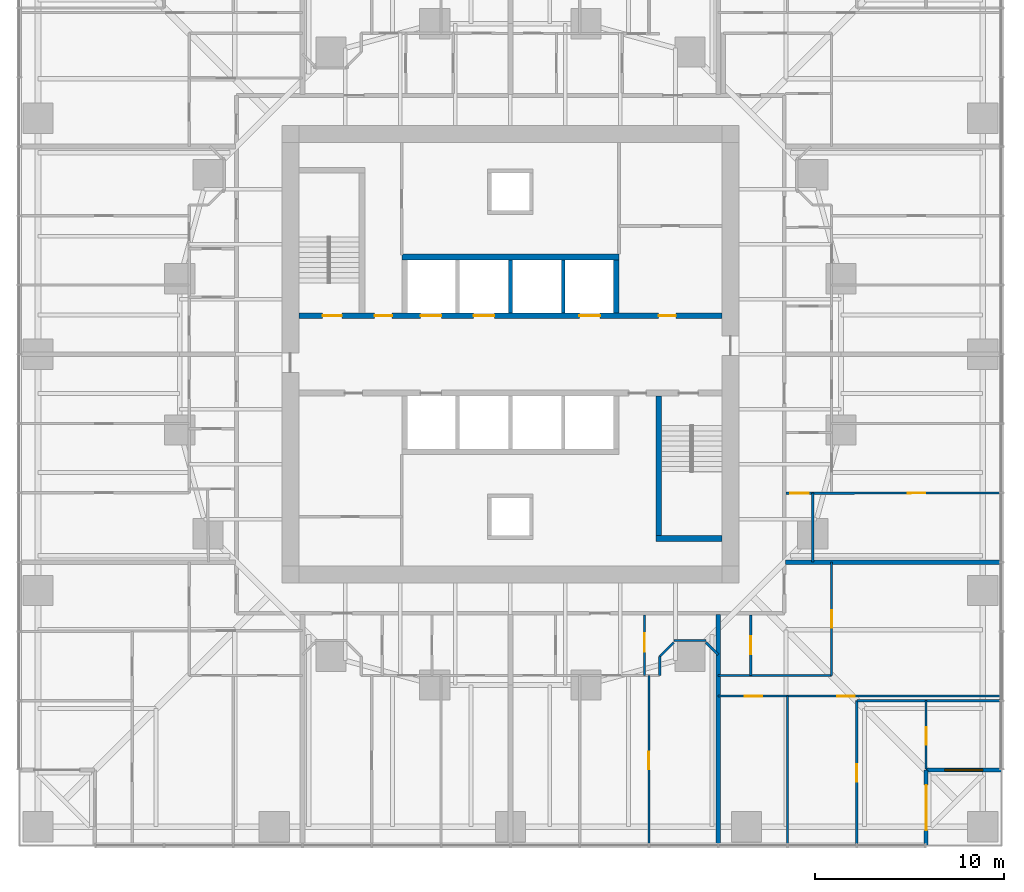
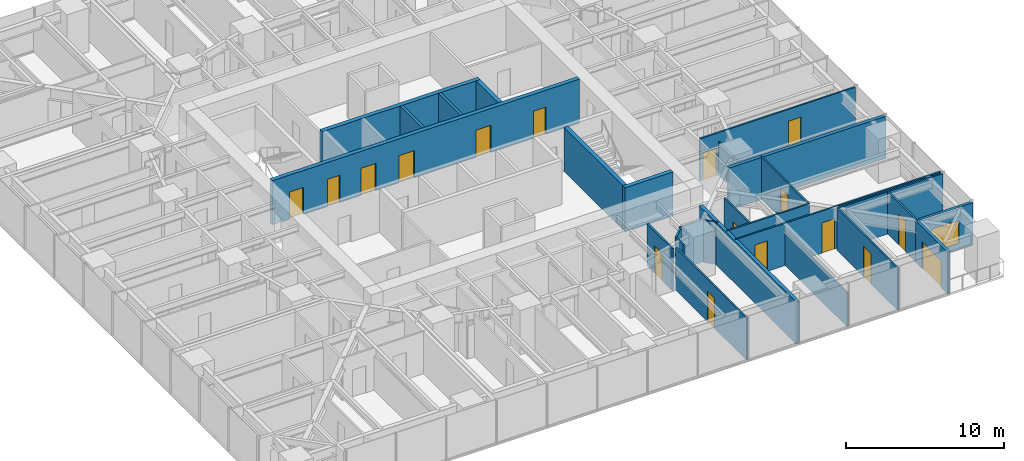
# One storey, part 10 of 17: 27 walls, 17 doors, 1 window, 18 openings.
"""IFC4 building model written with IfcOpenShell, lengths in metres."""

from ifc_helpers import new_model, si_unit, direction, frame, frame_2d, origin, place, context, subcontext, project, spatial, rectangle, extrude, material, layer, layer_set, type_object, element, fill, save


model = new_model("IFC4")

# Units and contexts
model_context = context("Model", 3, precision=1e-05, world=origin(), true_north=direction((0.0, 1.0)))
body_context = subcontext(model_context, "Body", "Model", "MODEL_VIEW")
ifc_project = project(units=[si_unit("LENGTHUNIT", "METRE"), si_unit("AREAUNIT", "SQUARE_METRE"), si_unit("VOLUMEUNIT", "CUBIC_METRE"), si_unit("PLANEANGLEUNIT", "RADIAN"), si_unit("MASSUNIT", "GRAM", prefix="KILO")], contexts=[model_context])

# Site, building, storey
site_placement = place(None, origin())
site = spatial("IfcSite", under=ifc_project, at=site_placement, CompositionType="ELEMENT")
building_placement = place(site_placement, origin())
building = spatial("IfcBuilding", under=site, at=building_placement, Name="Torsade Residences", CompositionType="ELEMENT")
storey_placement = place(building_placement, frame((0.0, 0.0, 18.39990234375)))
storey = spatial("IfcBuildingStorey", under=building, at=storey_placement, Name="L04", CompositionType="ELEMENT", Elevation=18.39990234375)

# Wall, openings, doors
ifc_material_1 = material(Name="Concrete 80 MPa", Category="concrete")
ifc_layer_1 = layer(ifc_material_1, 0.300048828125)
ifc_layer_set_1 = layer_set([ifc_layer_1], Name="Concrete 80 MPa")
wall_type_1 = type_object("IfcWallType", Name="CORE INTERNAL WALL 300", PredefinedType="SHEAR", material=ifc_layer_set_1)
wall_1_placement = place(storey_placement, frame((28.800048828125, 32.050048828125, 0.0), z_axis=(0.0, 0.0, 1.0), x_axis=(1.0, 0.0, 0.0)))
wall_1 = element("IfcWall", 1, at=wall_1_placement, inside=storey, type_object=wall_type_1, Name="Core wall LN L04", PredefinedType="SHEAR", context=body_context, shape_type="SweptSolid", body=[
    extrude(rectangle(XDim=22.39990234375, YDim=0.300048828125, at=frame_2d((11.199951171875, 0.0))), origin(), (0.0, 0.0, 1.0), 3.400146484375),
])
opening_1_placement = place(wall_1_placement, frame((19.0400390625, 0.0, 0.0)))
opening_1 = element("IfcOpeningElement", 2, at=opening_1_placement, cuts=wall_1, Name="Opening D06", PredefinedType="OPENING", context=body_context, shape_type="SweptSolid", body=[
    extrude(rectangle(XDim=0.919921875, YDim=2.10009765625, at=frame_2d((0.4599609375, 1.050048828125))), frame((0.0, 0.159912109375, 0.0), z_axis=(0.0, -1.0, 0.0), x_axis=(1.0, 0.0, 0.0)), (0.0, 0.0, 1.0), 0.320068359375),
])
opening_2_placement = place(wall_1_placement, frame((1.264892578125, 0.0, 0.0)))
opening_2 = element("IfcOpeningElement", 3, at=opening_2_placement, cuts=wall_1, Name="Opening D03", PredefinedType="OPENING", context=body_context, shape_type="SweptSolid", body=[
    extrude(rectangle(XDim=1.02001953125, YDim=2.10009765625, at=frame_2d((0.510009765625, 1.050048828125))), frame((0.0, 0.159912109375, 0.0), z_axis=(0.0, -1.0, 0.0), x_axis=(1.0, 0.0, 0.0)), (0.0, 0.0, 1.0), 0.320068359375),
])
opening_3_placement = place(wall_1_placement, frame((4.014892578125, 0.0, 0.0)))
opening_3 = element("IfcOpeningElement", 4, at=opening_3_placement, cuts=wall_1, Name="Opening D06", PredefinedType="OPENING", context=body_context, shape_type="SweptSolid", body=[
    extrude(rectangle(XDim=0.919921875, YDim=2.10009765625, at=frame_2d((0.4599609375, 1.050048828125))), frame((0.0, 0.159912109375, 0.0), z_axis=(0.0, -1.0, 0.0), x_axis=(1.0, 0.0, 0.0)), (0.0, 0.0, 1.0), 0.320068359375),
])
opening_4_placement = place(wall_1_placement, frame((6.449951171875, 0.0, 0.0)))
opening_4 = element("IfcOpeningElement", 5, at=opening_4_placement, cuts=wall_1, Name="Opening LD", PredefinedType="OPENING", context=body_context, shape_type="SweptSolid", body=[
    extrude(rectangle(XDim=1.10009765625, YDim=2.10009765625, at=frame_2d((0.550048828125, 1.050048828125))), frame((0.0, 0.159912109375, 0.0), z_axis=(0.0, -1.0, 0.0), x_axis=(1.0, 0.0, 0.0)), (0.0, 0.0, 1.0), 0.320068359375),
])
opening_5_placement = place(wall_1_placement, frame((9.25, 0.0, 0.0)))
opening_5 = element("IfcOpeningElement", 6, at=opening_5_placement, cuts=wall_1, Name="Opening LD", PredefinedType="OPENING", context=body_context, shape_type="SweptSolid", body=[
    extrude(rectangle(XDim=1.10009765625, YDim=2.10009765625, at=frame_2d((0.550048828125, 1.050048828125))), frame((0.0, 0.159912109375, 0.0), z_axis=(0.0, -1.0, 0.0), x_axis=(1.0, 0.0, 0.0)), (0.0, 0.0, 1.0), 0.320068359375),
])
opening_6_placement = place(wall_1_placement, frame((14.85009765625, 0.0, 0.0)))
opening_6 = element("IfcOpeningElement", 7, at=opening_6_placement, cuts=wall_1, Name="Opening LD", PredefinedType="OPENING", context=body_context, shape_type="SweptSolid", body=[
    extrude(rectangle(XDim=1.10009765625, YDim=2.10009765625, at=frame_2d((0.550048828125, 1.050048828125))), frame((0.0, 0.159912109375, 0.0), z_axis=(0.0, -1.0, 0.0), x_axis=(1.0, 0.0, 0.0)), (0.0, 0.0, 1.0), 0.320068359375),
])
ifc_material_2 = material(Name="Steel-framed fire door", Category="steel")
door_type_1 = type_object("IfcDoorType", Name="FIRE DOOR 1020", OperationType="NOTDEFINED", PredefinedType="DOOR", material=ifc_material_2)
door_1_placement = place(opening_2_placement, origin())
door_1 = element("IfcDoor", 8, at=door_1_placement, inside=storey, type_object=door_type_1, Name="Exit door to fire-isolated stair ST1 L04", OperationType="SINGLE_SWING_RIGHT", OverallHeight=2.10009765625, OverallWidth=1.02001953125, PredefinedType="DOOR", context=body_context, shape_type="SweptSolid", body=[
    extrude(rectangle(XDim=1.02001953125, YDim=2.10009765625, at=frame_2d((0.510009765625, 1.050048828125))), frame((0.0, 0.02490234375, 0.0), z_axis=(0.0, -1.0, 0.0), x_axis=(1.0, 0.0, 0.0)), (0.0, 0.0, 1.0), 0.050048828125),
])
fill(opening_2, door_1)
ifc_material_3 = material(Name="Steel-framed fire door", Category="steel")
door_type_2 = type_object("IfcDoorType", Name="FIRE DOOR 920", OperationType="NOTDEFINED", PredefinedType="DOOR", material=ifc_material_3)
door_2_placement = place(opening_1_placement, origin())
door_2 = element("IfcDoor", 9, at=door_2_placement, inside=storey, type_object=door_type_2, Name="Door Lift lobby to Refuse room", OperationType="SINGLE_SWING_LEFT", OverallHeight=2.10009765625, OverallWidth=0.919921875, PredefinedType="DOOR", context=body_context, shape_type="SweptSolid", body=[
    extrude(rectangle(XDim=0.919921875, YDim=2.10009765625, at=frame_2d((0.4599609375, 1.050048828125))), frame((0.0, 0.02490234375, 0.0), z_axis=(0.0, -1.0, 0.0), x_axis=(1.0, 0.0, 0.0)), (0.0, 0.0, 1.0), 0.050048828125),
])
fill(opening_1, door_2)
door_3_placement = place(opening_3_placement, origin())
door_3 = element("IfcDoor", 10, at=door_3_placement, inside=storey, type_object=door_type_2, Name="Door Lift lobby to Meter store", OperationType="SINGLE_SWING_LEFT", OverallHeight=2.10009765625, OverallWidth=0.919921875, PredefinedType="DOOR", context=body_context, shape_type="SweptSolid", body=[
    extrude(rectangle(XDim=0.919921875, YDim=2.10009765625, at=frame_2d((0.4599609375, 1.050048828125))), frame((0.0, 0.02490234375, 0.0), z_axis=(0.0, -1.0, 0.0), x_axis=(1.0, 0.0, 0.0)), (0.0, 0.0, 1.0), 0.050048828125),
])
fill(opening_3, door_3)
ifc_material_4 = material(Name="Stainless steel lift landing door", Category="steel")
door_type_3 = type_object("IfcDoorType", Name="LIFT LANDING DOOR 1100", OperationType="SLIDING_TO_LEFT", PredefinedType="DOOR", material=ifc_material_4)
door_4_placement = place(opening_4_placement, origin())
door_4 = element("IfcDoor", 11, at=door_4_placement, inside=storey, type_object=door_type_3, Name="Lift LA1 landing door L04", OperationType="SLIDING_TO_LEFT", OverallHeight=2.10009765625, OverallWidth=1.10009765625, PredefinedType="DOOR", context=body_context, shape_type="SweptSolid", body=[
    extrude(rectangle(XDim=1.10009765625, YDim=2.10009765625, at=frame_2d((0.550048828125, 1.050048828125))), frame((0.0, 0.02490234375, 0.0), z_axis=(0.0, -1.0, 0.0), x_axis=(1.0, 0.0, 0.0)), (0.0, 0.0, 1.0), 0.050048828125),
])
fill(opening_4, door_4)
door_5_placement = place(opening_5_placement, origin())
door_5 = element("IfcDoor", 12, at=door_5_placement, inside=storey, type_object=door_type_3, Name="Lift LA2 landing door L04", OperationType="SLIDING_TO_LEFT", OverallHeight=2.10009765625, OverallWidth=1.10009765625, PredefinedType="DOOR", context=body_context, shape_type="SweptSolid", body=[
    extrude(rectangle(XDim=1.10009765625, YDim=2.10009765625, at=frame_2d((0.550048828125, 1.050048828125))), frame((0.0, 0.02490234375, 0.0), z_axis=(0.0, -1.0, 0.0), x_axis=(1.0, 0.0, 0.0)), (0.0, 0.0, 1.0), 0.050048828125),
])
fill(opening_5, door_5)
door_6_placement = place(opening_6_placement, origin())
door_6 = element("IfcDoor", 13, at=door_6_placement, inside=storey, type_object=door_type_3, Name="Lift FL1 landing door L04", OperationType="SLIDING_TO_LEFT", OverallHeight=2.10009765625, OverallWidth=1.10009765625, PredefinedType="DOOR", context=body_context, shape_type="SweptSolid", body=[
    extrude(rectangle(XDim=1.10009765625, YDim=2.10009765625, at=frame_2d((0.550048828125, 1.050048828125))), frame((0.0, 0.02490234375, 0.0), z_axis=(0.0, -1.0, 0.0), x_axis=(1.0, 0.0, 0.0)), (0.0, 0.0, 1.0), 0.050048828125),
])
fill(opening_6, door_6)

# Walls
wall_2_placement = place(storey_placement, frame((34.25, 35.14990234375, 0.0), z_axis=(0.0, 0.0, 1.0), x_axis=(1.0, 0.0, 0.0)))
element("IfcWall", 14, at=wall_2_placement, inside=storey, type_object=wall_type_1, Name="Core wall BN L04", PredefinedType="SHEAR", context=body_context, shape_type="SweptSolid", body=[
    extrude(rectangle(XDim=11.5, YDim=0.300048828125, at=frame_2d((5.75, 0.0))), origin(), (0.0, 0.0, 1.0), 3.400146484375),
])
wall_3_placement = place(storey_placement, frame((45.60009765625, 32.199951171875, 0.0), z_axis=(0.0, 0.0, 1.0), x_axis=(0.0, 1.0, 0.0)))
element("IfcWall", 15, at=wall_3_placement, inside=storey, type_object=wall_type_1, Name="Core wall DN4 L04", PredefinedType="SHEAR", context=body_context, shape_type="SweptSolid", body=[
    extrude(rectangle(XDim=2.800048828125, YDim=0.300048828125, at=frame_2d((1.39990234375, 0.0))), origin(), (0.0, 0.0, 1.0), 3.400146484375),
])
wall_4_placement = place(storey_placement, frame((47.85009765625, 27.800048828125, 0.0), z_axis=(0.0, 0.0, 1.0), x_axis=(0.0, -1.0, 0.0)))
element("IfcWall", 16, at=wall_4_placement, inside=storey, type_object=wall_type_1, Name="Core wall ST2W L04", PredefinedType="SHEAR", context=body_context, shape_type="SweptSolid", body=[
    extrude(rectangle(XDim=7.699951171875, YDim=0.300048828125, at=frame_2d((3.85009765625, 0.0))), origin(), (0.0, 0.0, 1.0), 3.400146484375),
])
wall_5_placement = place(storey_placement, frame((51.199951171875, 20.25, 0.0), z_axis=(0.0, 0.0, 1.0), x_axis=(-1.0, 0.0, 0.0)))
element("IfcWall", 17, at=wall_5_placement, inside=storey, type_object=wall_type_1, Name="Core wall ST2S L04", PredefinedType="SHEAR", context=body_context, shape_type="SweptSolid", body=[
    extrude(rectangle(XDim=3.5, YDim=0.300048828125, at=frame_2d((1.75, 0.0))), origin(), (0.0, 0.0, 1.0), 3.400146484375),
])
ifc_material_5 = material(Name="Reinforced blockwork", Category="masonry")
ifc_layer_2 = layer(ifc_material_5, 0.199951171875)
ifc_layer_set_2 = layer_set([ifc_layer_2], Name="Reinforced blockwork")
wall_type_2 = type_object("IfcWallType", Name="LIFT SHAFT DIVIDING WALL 200", PredefinedType="SOLIDWALL", material=ifc_layer_set_2)
for number, where, z_axis, x_axis, name in (
    (18, (40.0, 32.199951171875, 0.0), (0.0, 0.0, 1.0), (0.0, 1.0, 0.0), "Core wall DN2 L04"),
    (19, (42.800048828125, 32.199951171875, 0.0), (0.0, 0.0, 1.0), (0.0, 1.0, 0.0), "Core wall DN3 L04"),
):
    element("IfcWall", number, at=place(storey_placement, frame(where, z_axis=z_axis, x_axis=x_axis)), inside=storey, type_object=wall_type_2, Name=name, PredefinedType="SOLIDWALL", context=body_context, shape_type="SweptSolid", body=[
        extrude(rectangle(XDim=2.800048828125, YDim=0.199951171875, at=frame_2d((1.39990234375, 0.0))), origin(), (0.0, 0.0, 1.0), 3.400146484375),
    ])

# Wall, opening, door
ifc_material_6 = material(Name="Plasterboard on steel stud", Category="steel")
ifc_layer_3 = layer(ifc_material_6, 0.1201171875)
ifc_layer_set_3 = layer_set([ifc_layer_3], Name="Plasterboard on steel stud")
wall_type_3 = type_object("IfcWallType", Name="PARTITION 120", PredefinedType="PARTITIONING", material=ifc_layer_set_3)
wall_6_placement = place(storey_placement, frame((47.09765625, 16.199951171875, 0.0), z_axis=(0.0, 0.0, 1.0), x_axis=(0.0, -1.0, 0.0)))
wall_6 = element("IfcWall", 20, at=wall_6_placement, inside=storey, type_object=wall_type_3, Name="Partition L04", PredefinedType="PARTITIONING", context=body_context, shape_type="SweptSolid", body=[
    extrude(rectangle(XDim=3.199951171875, YDim=0.1201171875, at=frame_2d((1.60009765625, 0.0))), origin(), (0.0, 0.0, 1.0), 3.25),
])
opening_7_placement = place(wall_6_placement, frame((0.969970703125, 0.0, 0.0)))
opening_7 = element("IfcOpeningElement", 21, at=opening_7_placement, cuts=wall_6, Name="Opening D05", PredefinedType="OPENING", context=body_context, shape_type="SweptSolid", body=[
    extrude(rectangle(XDim=0.9599609375, YDim=2.10009765625, at=frame_2d((0.47998046875, 1.050048828125))), frame((0.0, 0.070068359375, 0.0), z_axis=(0.0, -1.0, 0.0), x_axis=(1.0, 0.0, 0.0)), (0.0, 0.0, 1.0), 0.14013671875),
])
ifc_material_7 = material(Name="Hollow-core timber door in a steel cavity frame", Category="steel")
door_type_4 = type_object("IfcDoorType", Name="BATHROOM CAVITY SLIDING DOOR 960", OperationType="SLIDING_TO_LEFT", PredefinedType="DOOR", material=ifc_material_7)
door_7_placement = place(opening_7_placement, origin())
door_7 = element("IfcDoor", 22, at=door_7_placement, inside=storey, type_object=door_type_4, Name="Door Kitchen and dining to Bathroom", OperationType="SLIDING_TO_LEFT", OverallHeight=2.10009765625, OverallWidth=0.9599609375, PredefinedType="DOOR", context=body_context, shape_type="SweptSolid", body=[
    extrude(rectangle(XDim=0.9599609375, YDim=2.10009765625, at=frame_2d((0.47998046875, 1.050048828125))), frame((0.0, 0.02490234375, 0.0), z_axis=(0.0, -1.0, 0.0), x_axis=(1.0, 0.0, 0.0)), (0.0, 0.0, 1.0), 0.050048828125),
])
fill(opening_7, door_7)

# Walls
wall_7_placement = place(storey_placement, frame((51.0, 14.10009765625, 0.0), z_axis=(0.0, 0.0, 1.0), x_axis=(-0.707106781187, 0.707106781187, 0.0)))
element("IfcWall", 23, at=wall_7_placement, inside=storey, type_object=wall_type_3, Name="Partition L04", PredefinedType="PARTITIONING", context=body_context, shape_type="SweptSolid", body=[
    extrude(rectangle(XDim=0.919189453125, YDim=0.1201171875, at=frame_2d((0.45947265625, 0.0))), origin(), (0.0, 0.0, 1.0), 3.25),
])
wall_8_placement = place(storey_placement, frame((50.35009765625, 14.85009765625, 0.0), z_axis=(0.0, 0.0, 1.0), x_axis=(-1.0, 0.0, 0.0)))
element("IfcWall", 24, at=wall_8_placement, inside=storey, type_object=wall_type_3, Name="Partition L04", PredefinedType="PARTITIONING", context=body_context, shape_type="SweptSolid", body=[
    extrude(rectangle(XDim=1.7001953125, YDim=0.1201171875, at=frame_2d((0.85009765625, 0.0))), origin(), (0.0, 0.0, 1.0), 3.25),
])
wall_9_placement = place(storey_placement, frame((48.64990234375, 14.75, 0.0), z_axis=(0.0, 0.0, 1.0), x_axis=(-0.707106781187, -0.707106781187, 0.0)))
element("IfcWall", 25, at=wall_9_placement, inside=storey, type_object=wall_type_3, Name="Partition L04", PredefinedType="PARTITIONING", context=body_context, shape_type="SweptSolid", body=[
    extrude(rectangle(XDim=1.060546875, YDim=0.1201171875, at=frame_2d((0.5302734375, 0.0))), origin(), (0.0, 0.0, 1.0), 3.25),
])
wall_10_placement = place(storey_placement, frame((47.89990234375, 14.0, 0.0), z_axis=(0.0, 0.0, 1.0), x_axis=(0.0, -1.0, 0.0)))
element("IfcWall", 26, at=wall_10_placement, inside=storey, type_object=wall_type_3, Name="Partition L04", PredefinedType="PARTITIONING", context=body_context, shape_type="SweptSolid", body=[
    extrude(rectangle(XDim=1.0, YDim=0.1201171875, at=frame_2d((0.5, 0.0))), origin(), (0.0, 0.0, 1.0), 3.25),
])

# Wall, opening, door
wall_11_placement = place(storey_placement, frame((47.333251953125, 4.0400390625, 0.0), z_axis=(0.0, 0.0, 1.0), x_axis=(0.0, 1.0, 0.0)))
wall_11 = element("IfcWall", 27, at=wall_11_placement, inside=storey, type_object=wall_type_3, Name="Partition L04", PredefinedType="PARTITIONING", context=body_context, shape_type="SweptSolid", body=[
    extrude(rectangle(XDim=8.9599609375, YDim=0.1201171875, at=frame_2d((4.47998046875, 0.0))), origin(), (0.0, 0.0, 1.0), 3.25),
])
opening_8_placement = place(wall_11_placement, frame((4.0, 0.0, 0.0)))
opening_8 = element("IfcOpeningElement", 28, at=opening_8_placement, cuts=wall_11, Name="Opening D02", PredefinedType="OPENING", context=body_context, shape_type="SweptSolid", body=[
    extrude(rectangle(XDim=0.919921875, YDim=2.340087890625, at=frame_2d((0.4599609375, 1.169921875))), frame((0.0, 0.070068359375, 0.0), z_axis=(0.0, -1.0, 0.0), x_axis=(1.0, 0.0, 0.0)), (0.0, 0.0, 1.0), 0.14013671875),
])
ifc_material_8 = material(Name="Hollow-core timber door", Category="wood")
door_type_5 = type_object("IfcDoorType", Name="INTERNAL DOOR 920x2340", OperationType="NOTDEFINED", PredefinedType="DOOR", material=ifc_material_8)
door_8_placement = place(opening_8_placement, origin())
door_8 = element("IfcDoor", 29, at=door_8_placement, inside=storey, type_object=door_type_5, Name="Door Bedroom 2 to Bedroom 1", OperationType="SINGLE_SWING_LEFT", OverallHeight=2.340087890625, OverallWidth=0.919921875, PredefinedType="DOOR", context=body_context, shape_type="SweptSolid", body=[
    extrude(rectangle(XDim=0.919921875, YDim=2.340087890625, at=frame_2d((0.4599609375, 1.169921875))), frame((0.0, 0.02490234375, 0.0), z_axis=(0.0, -1.0, 0.0), x_axis=(1.0, 0.0, 0.0)), (0.0, 0.0, 1.0), 0.050048828125),
])
fill(opening_8, door_8)

wall_12_placement = place(storey_placement, frame((52.718994140625, 13.0, 0.0), z_axis=(0.0, 0.0, 1.0), x_axis=(0.0, 1.0, 0.0)))
wall_12 = element("IfcWall", 30, at=wall_12_placement, inside=storey, type_object=wall_type_3, Name="Partition L04", PredefinedType="PARTITIONING", context=body_context, shape_type="SweptSolid", body=[
    extrude(rectangle(XDim=3.199951171875, YDim=0.1201171875, at=frame_2d((1.60009765625, 0.0))), origin(), (0.0, 0.0, 1.0), 3.25),
])
opening_9_placement = place(wall_12_placement, frame((1.119873046875, 0.0, 0.0)))
opening_9 = element("IfcOpeningElement", 31, at=opening_9_placement, cuts=wall_12, Name="Opening D05", PredefinedType="OPENING", context=body_context, shape_type="SweptSolid", body=[
    extrude(rectangle(XDim=0.9599609375, YDim=2.10009765625, at=frame_2d((0.47998046875, 1.050048828125))), frame((0.0, 0.070068359375, 0.0), z_axis=(0.0, -1.0, 0.0), x_axis=(1.0, 0.0, 0.0)), (0.0, 0.0, 1.0), 0.14013671875),
])
door_9_placement = place(opening_9_placement, origin())
door_9 = element("IfcDoor", 32, at=door_9_placement, inside=storey, type_object=door_type_4, Name="Door Kitchen and dining to Bathroom", OperationType="SLIDING_TO_LEFT", OverallHeight=2.10009765625, OverallWidth=0.9599609375, PredefinedType="DOOR", context=body_context, shape_type="SweptSolid", body=[
    extrude(rectangle(XDim=0.9599609375, YDim=2.10009765625, at=frame_2d((0.47998046875, 1.050048828125))), frame((0.0, 0.02490234375, 0.0), z_axis=(0.0, -1.0, 0.0), x_axis=(1.0, 0.0, 0.0)), (0.0, 0.0, 1.0), 0.050048828125),
])
fill(opening_9, door_9)

wall_13_placement = place(storey_placement, frame((57.0, 19.0, 0.0), z_axis=(0.0, 0.0, 1.0), x_axis=(0.0, -1.0, 0.0)))
wall_13 = element("IfcWall", 33, at=wall_13_placement, inside=storey, type_object=wall_type_3, Name="Partition L04", PredefinedType="PARTITIONING", context=body_context, shape_type="SweptSolid", body=[
    extrude(rectangle(XDim=6.0, YDim=0.1201171875, at=frame_2d((3.0, 0.0))), origin(), (0.0, 0.0, 1.0), 3.25),
])
opening_10_placement = place(wall_13_placement, frame((2.5400390625, 0.0, 0.0)))
opening_10 = element("IfcOpeningElement", 34, at=opening_10_placement, cuts=wall_13, Name="Opening D02", PredefinedType="OPENING", context=body_context, shape_type="SweptSolid", body=[
    extrude(rectangle(XDim=0.919921875, YDim=2.340087890625, at=frame_2d((0.4599609375, 1.169921875))), frame((0.0, 0.070068359375, 0.0), z_axis=(0.0, -1.0, 0.0), x_axis=(1.0, 0.0, 0.0)), (0.0, 0.0, 1.0), 0.14013671875),
])
door_10_placement = place(opening_10_placement, origin())
door_10 = element("IfcDoor", 35, at=door_10_placement, inside=storey, type_object=door_type_5, Name="Door Kitchen and dining to Living room", OperationType="SINGLE_SWING_LEFT", OverallHeight=2.340087890625, OverallWidth=0.919921875, PredefinedType="DOOR", context=body_context, shape_type="SweptSolid", body=[
    extrude(rectangle(XDim=0.919921875, YDim=2.340087890625, at=frame_2d((0.4599609375, 1.169921875))), frame((0.0, 0.02490234375, 0.0), z_axis=(0.0, -1.0, 0.0), x_axis=(1.0, 0.0, 0.0)), (0.0, 0.0, 1.0), 0.050048828125),
])
fill(opening_10, door_10)

# Wall
wall_14_placement = place(storey_placement, frame((57.0, 13.0, 0.0), z_axis=(0.0, 0.0, 1.0), x_axis=(-1.0, 0.0, 0.0)))
element("IfcWall", 36, at=wall_14_placement, inside=storey, type_object=wall_type_3, Name="Partition L04", PredefinedType="PARTITIONING", context=body_context, shape_type="SweptSolid", body=[
    extrude(rectangle(XDim=6.0, YDim=0.1201171875, at=frame_2d((3.0, 0.0))), origin(), (0.0, 0.0, 1.0), 3.25),
])

# Wall, openings, doors
wall_15_placement = place(storey_placement, frame((65.9599609375, 11.910888671875, 0.0), z_axis=(0.0, 0.0, 1.0), x_axis=(-1.0, 0.0, 0.0)))
wall_15 = element("IfcWall", 37, at=wall_15_placement, inside=storey, type_object=wall_type_3, Name="Partition L04", PredefinedType="PARTITIONING", context=body_context, shape_type="SweptSolid", body=[
    extrude(rectangle(XDim=14.9599609375, YDim=0.1201171875, at=frame_2d((7.47998046875, 0.0))), origin(), (0.0, 0.0, 1.0), 3.25),
])
opening_11_placement = place(wall_15_placement, frame((7.74169921875, 0.0, 0.0)))
opening_11 = element("IfcOpeningElement", 38, at=opening_11_placement, cuts=wall_15, Name="Opening D02", PredefinedType="OPENING", context=body_context, shape_type="SweptSolid", body=[
    extrude(rectangle(XDim=0.919921875, YDim=2.340087890625, at=frame_2d((0.4599609375, 1.169921875))), frame((0.0, 0.070068359375, 0.0), z_axis=(0.0, -1.0, 0.0), x_axis=(1.0, 0.0, 0.0)), (0.0, 0.0, 1.0), 0.14013671875),
])
opening_12_placement = place(wall_15_placement, frame((12.6416015625, 0.0, 0.0)))
opening_12 = element("IfcOpeningElement", 39, at=opening_12_placement, cuts=wall_15, Name="Opening D02", PredefinedType="OPENING", context=body_context, shape_type="SweptSolid", body=[
    extrude(rectangle(XDim=0.919921875, YDim=2.340087890625, at=frame_2d((0.4599609375, 1.169921875))), frame((0.0, 0.070068359375, 0.0), z_axis=(0.0, -1.0, 0.0), x_axis=(1.0, 0.0, 0.0)), (0.0, 0.0, 1.0), 0.14013671875),
])
door_11_placement = place(opening_11_placement, origin())
door_11 = element("IfcDoor", 40, at=door_11_placement, inside=storey, type_object=door_type_5, Name="Door Living room to Bedroom 1", OperationType="SINGLE_SWING_RIGHT", OverallHeight=2.340087890625, OverallWidth=0.919921875, PredefinedType="DOOR", context=body_context, shape_type="SweptSolid", body=[
    extrude(rectangle(XDim=0.919921875, YDim=2.340087890625, at=frame_2d((0.4599609375, 1.169921875))), frame((0.0, 0.02490234375, 0.0), z_axis=(0.0, -1.0, 0.0), x_axis=(1.0, 0.0, 0.0)), (0.0, 0.0, 1.0), 0.050048828125),
])
fill(opening_11, door_11)
door_12_placement = place(opening_12_placement, origin())
door_12 = element("IfcDoor", 41, at=door_12_placement, inside=storey, type_object=door_type_5, Name="Door Living room to Bedroom 2", OperationType="SINGLE_SWING_RIGHT", OverallHeight=2.340087890625, OverallWidth=0.919921875, PredefinedType="DOOR", context=body_context, shape_type="SweptSolid", body=[
    extrude(rectangle(XDim=0.919921875, YDim=2.340087890625, at=frame_2d((0.4599609375, 1.169921875))), frame((0.0, 0.02490234375, 0.0), z_axis=(0.0, -1.0, 0.0), x_axis=(1.0, 0.0, 0.0)), (0.0, 0.0, 1.0), 0.050048828125),
])
fill(opening_12, door_12)

# Walls
wall_16_placement = place(storey_placement, frame((54.666748046875, 4.0400390625, 0.0), z_axis=(0.0, 0.0, 1.0), x_axis=(0.0, 1.0, 0.0)))
element("IfcWall", 42, at=wall_16_placement, inside=storey, type_object=wall_type_3, Name="Partition L04", PredefinedType="PARTITIONING", context=body_context, shape_type="SweptSolid", body=[
    extrude(rectangle(XDim=7.870849609375, YDim=0.1201171875, at=frame_2d((3.935546875, 0.0))), origin(), (0.0, 0.0, 1.0), 2.63818359375),
])
wall_17_placement = place(storey_placement, frame((65.9599609375, 11.666748046875, 0.0), z_axis=(0.0, 0.0, 1.0), x_axis=(-1.0, 0.0, 0.0)))
element("IfcWall", 43, at=wall_17_placement, inside=storey, type_object=wall_type_3, Name="Partition L04", PredefinedType="PARTITIONING", context=body_context, shape_type="SweptSolid", body=[
    extrude(rectangle(XDim=7.626708984375, YDim=0.1201171875, at=frame_2d((3.8134765625, 0.0))), origin(), (0.0, 0.0, 1.0), 3.25),
])

# Wall, opening, door
wall_18_placement = place(storey_placement, frame((58.333251953125, 11.666748046875, 0.0), z_axis=(0.0, 0.0, 1.0), x_axis=(0.0, -1.0, 0.0)))
wall_18 = element("IfcWall", 44, at=wall_18_placement, inside=storey, type_object=wall_type_3, Name="Partition L04", PredefinedType="PARTITIONING", context=body_context, shape_type="SweptSolid", body=[
    extrude(rectangle(XDim=7.626708984375, YDim=0.1201171875, at=frame_2d((3.8134765625, 0.0))), origin(), (0.0, 0.0, 1.0), 3.25),
])
opening_13_placement = place(wall_18_placement, frame((3.373291015625, 0.0, 0.0)))
opening_13 = element("IfcOpeningElement", 45, at=opening_13_placement, cuts=wall_18, Name="Opening D02", PredefinedType="OPENING", context=body_context, shape_type="SweptSolid", body=[
    extrude(rectangle(XDim=0.919921875, YDim=2.340087890625, at=frame_2d((0.4599609375, 1.169921875))), frame((0.0, 0.070068359375, 0.0), z_axis=(0.0, -1.0, 0.0), x_axis=(1.0, 0.0, 0.0)), (0.0, 0.0, 1.0), 0.14013671875),
])
door_13_placement = place(opening_13_placement, origin())
door_13 = element("IfcDoor", 46, at=door_13_placement, inside=storey, type_object=door_type_5, Name="Door Bedroom 1 to Study", OperationType="SINGLE_SWING_RIGHT", OverallHeight=2.340087890625, OverallWidth=0.919921875, PredefinedType="DOOR", context=body_context, shape_type="SweptSolid", body=[
    extrude(rectangle(XDim=0.919921875, YDim=2.340087890625, at=frame_2d((0.4599609375, 1.169921875))), frame((0.0, 0.02490234375, 0.0), z_axis=(0.0, -1.0, 0.0), x_axis=(1.0, 0.0, 0.0)), (0.0, 0.0, 1.0), 0.050048828125),
])
fill(opening_13, door_13)

wall_19_placement = place(storey_placement, frame((62.0, 11.666748046875, 0.0), z_axis=(0.0, 0.0, 1.0), x_axis=(0.0, -1.0, 0.0)))
wall_19 = element("IfcWall", 47, at=wall_19_placement, inside=storey, type_object=wall_type_3, Name="Partition L04", PredefinedType="PARTITIONING", context=body_context, shape_type="SweptSolid", body=[
    extrude(rectangle(XDim=3.626708984375, YDim=0.1201171875, at=frame_2d((1.8134765625, 0.0))), origin(), (0.0, 0.0, 1.0), 3.25),
])
opening_14_placement = place(wall_19_placement, frame((1.3984375, 0.0, 0.0)))
opening_14 = element("IfcOpeningElement", 48, at=opening_14_placement, cuts=wall_19, Name="Opening D02", PredefinedType="OPENING", context=body_context, shape_type="SweptSolid", body=[
    extrude(rectangle(XDim=0.919921875, YDim=2.340087890625, at=frame_2d((0.4599609375, 1.169921875))), frame((0.0, 0.070068359375, 0.0), z_axis=(0.0, -1.0, 0.0), x_axis=(1.0, 0.0, 0.0)), (0.0, 0.0, 1.0), 0.14013671875),
])
door_14_placement = place(opening_14_placement, origin())
door_14 = element("IfcDoor", 49, at=door_14_placement, inside=storey, type_object=door_type_5, Name="Door Study to Family room", OperationType="SINGLE_SWING_LEFT", OverallHeight=2.340087890625, OverallWidth=0.919921875, PredefinedType="DOOR", context=body_context, shape_type="SweptSolid", body=[
    extrude(rectangle(XDim=0.919921875, YDim=2.340087890625, at=frame_2d((0.4599609375, 1.169921875))), frame((0.0, 0.02490234375, 0.0), z_axis=(0.0, -1.0, 0.0), x_axis=(1.0, 0.0, 0.0)), (0.0, 0.0, 1.0), 0.050048828125),
])
fill(opening_14, door_14)

# Wall, openings, doors
wall_20_placement = place(storey_placement, frame((54.60009765625, 22.648681640625, 0.0), z_axis=(0.0, 0.0, 1.0), x_axis=(0.999998735361, 0.001590369792, 0.0)))
wall_20 = element("IfcWall", 50, at=wall_20_placement, inside=storey, type_object=wall_type_3, Name="Partition L04", PredefinedType="PARTITIONING", context=body_context, shape_type="SweptSolid", body=[
    extrude(rectangle(XDim=11.35986328125, YDim=0.1201171875, at=frame_2d((5.679931640625, 0.0))), origin(), (0.0, 0.0, 1.0), 3.25),
])
opening_15_placement = place(wall_20_placement, frame((0.219970703125, 0.0, 0.0)))
opening_15 = element("IfcOpeningElement", 51, at=opening_15_placement, cuts=wall_20, Name="Opening D05", PredefinedType="OPENING", context=body_context, shape_type="SweptSolid", body=[
    extrude(rectangle(XDim=0.9599609375, YDim=2.10009765625, at=frame_2d((0.47998046875, 1.050048828125))), frame((0.0, 0.070068359375, 0.0), z_axis=(0.0, -1.0, 0.0), x_axis=(1.0, 0.0, 0.0)), (0.0, 0.0, 1.0), 0.14013671875),
])
opening_16_placement = place(wall_20_placement, frame((6.43994140625, 0.0, 0.0)))
opening_16 = element("IfcOpeningElement", 52, at=opening_16_placement, cuts=wall_20, Name="Opening D02", PredefinedType="OPENING", context=body_context, shape_type="SweptSolid", body=[
    extrude(rectangle(XDim=0.919921875, YDim=2.340087890625, at=frame_2d((0.4599609375, 1.169921875))), frame((0.0, 0.070068359375, 0.0), z_axis=(0.0, -1.0, 0.0), x_axis=(1.0, 0.0, 0.0)), (0.0, 0.0, 1.0), 0.14013671875),
])
door_15_placement = place(opening_15_placement, origin())
door_15 = element("IfcDoor", 53, at=door_15_placement, inside=storey, type_object=door_type_4, Name="Door Ensuite to Bathroom", OperationType="SLIDING_TO_LEFT", OverallHeight=2.10009765625, OverallWidth=0.9599609375, PredefinedType="DOOR", context=body_context, shape_type="SweptSolid", body=[
    extrude(rectangle(XDim=0.9599609375, YDim=2.10009765625, at=frame_2d((0.47998046875, 1.050048828125))), frame((0.0, 0.02490234375, 0.0), z_axis=(0.0, -1.0, 0.0), x_axis=(1.0, 0.0, 0.0)), (0.0, 0.0, 1.0), 0.050048828125),
])
fill(opening_15, door_15)
door_16_placement = place(opening_16_placement, origin())
door_16 = element("IfcDoor", 54, at=door_16_placement, inside=storey, type_object=door_type_5, Name="Door Bedroom 2 to Living room", OperationType="SINGLE_SWING_RIGHT", OverallHeight=2.340087890625, OverallWidth=0.919921875, PredefinedType="DOOR", context=body_context, shape_type="SweptSolid", body=[
    extrude(rectangle(XDim=0.919921875, YDim=2.340087890625, at=frame_2d((0.4599609375, 1.169921875))), frame((0.0, 0.02490234375, 0.0), z_axis=(0.0, -1.0, 0.0), x_axis=(1.0, 0.0, 0.0)), (0.0, 0.0, 1.0), 0.050048828125),
])
fill(opening_16, door_16)

# Walls
wall_21_placement = place(storey_placement, frame((56.0, 22.648681640625, 0.0), z_axis=(0.0, 0.0, 1.0), x_axis=(0.0, -1.0, 0.0)))
element("IfcWall", 55, at=wall_21_placement, inside=storey, type_object=wall_type_3, Name="Partition L04", PredefinedType="PARTITIONING", context=body_context, shape_type="SweptSolid", body=[
    extrude(rectangle(XDim=3.648681640625, YDim=0.1201171875, at=frame_2d((1.82421875, 0.0))), origin(), (0.0, 0.0, 1.0), 2.550048828125),
])
ifc_material_9 = material(Name="Masonry-lined stud party wall", Category="masonry")
ifc_layer_4 = layer(ifc_material_9, 0.25)
ifc_layer_set_4 = layer_set([ifc_layer_4], Name="Masonry-lined stud party wall")
wall_type_4 = type_object("IfcWallType", Name="PARTY WALL 250", PredefinedType="PARTITIONING", material=ifc_layer_set_4)
wall_22_placement = place(storey_placement, frame((51.0, 4.0, 0.0), z_axis=(0.0, 0.0, 1.0), x_axis=(0.0, 1.0, 0.0)))
element("IfcWall", 56, at=wall_22_placement, inside=storey, type_object=wall_type_4, Name="Party wall L04", PredefinedType="PARTITIONING", context=body_context, shape_type="SweptSolid", body=[
    extrude(rectangle(XDim=12.239990234375, YDim=0.25, at=frame_2d((6.1201171875, 0.0))), origin(), (0.0, 0.0, 1.0), 3.25),
])
wall_23_placement = place(storey_placement, frame((66.0, 19.0, 0.0), z_axis=(0.0, 0.0, 1.0), x_axis=(-1.0, 0.0, 0.0)))
element("IfcWall", 57, at=wall_23_placement, inside=storey, type_object=wall_type_4, Name="Party wall L04", PredefinedType="PARTITIONING", context=body_context, shape_type="SweptSolid", body=[
    extrude(rectangle(XDim=11.43994140625, YDim=0.25, at=frame_2d((5.719970703125, 0.0))), origin(), (0.0, 0.0, 1.0), 3.25),
])

# Wall, opening, door
ifc_material_10 = material(Name="Stone-faced precast concrete 40 MPa panel", Category="masonry")
ifc_layer_5 = layer(ifc_material_10, 0.199951171875)
ifc_layer_set_5 = layer_set([ifc_layer_5], Name="Stone-faced precast concrete 40 MPa panel")
wall_type_5 = type_object("IfcWallType", Name="TERRACE WALL 200", PredefinedType="SOLIDWALL", material=ifc_layer_set_5)
wall_24_placement = place(storey_placement, frame((62.0, 4.0, 0.0), z_axis=(0.0, 0.0, 1.0), x_axis=(0.0, 1.0, 0.0)))
wall_24 = element("IfcWall", 58, at=wall_24_placement, inside=storey, type_object=wall_type_5, Name="Terrace wall L04 2", PredefinedType="SOLIDWALL", context=body_context, shape_type="SweptSolid", body=[
    extrude(rectangle(XDim=4.0, YDim=0.199951171875, at=frame_2d((2.0, 0.0))), origin(), (0.0, 0.0, 1.0), 3.25),
])
opening_17_placement = place(wall_24_placement, frame((0.800048828125, 0.0, 0.0)))
opening_17 = element("IfcOpeningElement", 59, at=opening_17_placement, cuts=wall_24, Name="Opening D10A", PredefinedType="OPENING", context=body_context, shape_type="SweptSolid", body=[
    extrude(rectangle(XDim=2.39990234375, YDim=2.10009765625, at=frame_2d((1.199951171875, 1.050048828125))), frame((0.0, 0.10986328125, 0.0), z_axis=(0.0, -1.0, 0.0), x_axis=(1.0, 0.0, 0.0)), (0.0, 0.0, 1.0), 0.219970703125),
])
ifc_material_11 = material(Name="Aluminium-framed glass door", Category="aluminium")
door_type_6 = type_object("IfcDoorType", Name="TERRACE SLIDING DOOR 2400x2100", OperationType="SLIDING_TO_LEFT", PredefinedType="DOOR", material=ifc_material_11)
door_17_placement = place(opening_17_placement, origin())
door_17 = element("IfcDoor", 60, at=door_17_placement, inside=storey, type_object=door_type_6, Name="Terrace door L04 2", OperationType="SLIDING_TO_LEFT", OverallHeight=2.10009765625, OverallWidth=2.39990234375, PredefinedType="DOOR", context=body_context, shape_type="SweptSolid", body=[
    extrude(rectangle(XDim=2.39990234375, YDim=2.10009765625, at=frame_2d((1.199951171875, 1.050048828125))), frame((0.0, 0.02490234375, 0.0), z_axis=(0.0, -1.0, 0.0), x_axis=(1.0, 0.0, 0.0)), (0.0, 0.0, 1.0), 0.050048828125),
])
fill(opening_17, door_17)

# Wall, opening, window
wall_25_placement = place(storey_placement, frame((62.0, 8.0, 0.0), z_axis=(0.0, 0.0, 1.0), x_axis=(1.0, 0.0, 0.0)))
wall_25 = element("IfcWall", 61, at=wall_25_placement, inside=storey, type_object=wall_type_5, Name="Terrace wall L04 3", PredefinedType="SOLIDWALL", context=body_context, shape_type="SweptSolid", body=[
    extrude(rectangle(XDim=4.0, YDim=0.199951171875, at=frame_2d((2.0, 0.0))), origin(), (0.0, 0.0, 1.0), 3.25),
])
opening_18_placement = place(wall_25_placement, frame((1.0, 0.0, 0.449951171875)))
opening_18 = element("IfcOpeningElement", 62, at=opening_18_placement, cuts=wall_25, Name="Opening W1B", PredefinedType="OPENING", context=body_context, shape_type="SweptSolid", body=[
    extrude(rectangle(XDim=2.0, YDim=1.800048828125, at=frame_2d((1.0, 0.89990234375))), frame((0.0, 0.10986328125, 0.0), z_axis=(0.0, -1.0, 0.0), x_axis=(1.0, 0.0, 0.0)), (0.0, 0.0, 1.0), 0.219970703125),
])
ifc_material_12 = material(Name="Aluminium-framed glass window", Category="aluminium")
window_type = type_object("IfcWindowType", Name="TERRACE WINDOW 2000x1800", PartitioningType="SINGLE_PANEL", PredefinedType="WINDOW", material=ifc_material_12)
window_placement = place(opening_18_placement, origin())
window = element("IfcWindow", 63, at=window_placement, inside=storey, type_object=window_type, Name="Terrace window L04 3", OverallHeight=1.800048828125, OverallWidth=2.0, PartitioningType="SINGLE_PANEL", PredefinedType="WINDOW", context=body_context, shape_type="SweptSolid", body=[
    extrude(rectangle(XDim=2.0, YDim=1.800048828125, at=frame_2d((1.0, 0.89990234375))), frame((0.0, 0.030029296875, 0.0), z_axis=(0.0, -1.0, 0.0), x_axis=(1.0, 0.0, 0.0)), (0.0, 0.0, 1.0), 0.06005859375),
])
fill(opening_18, window)

save(model, "model.ifc")
